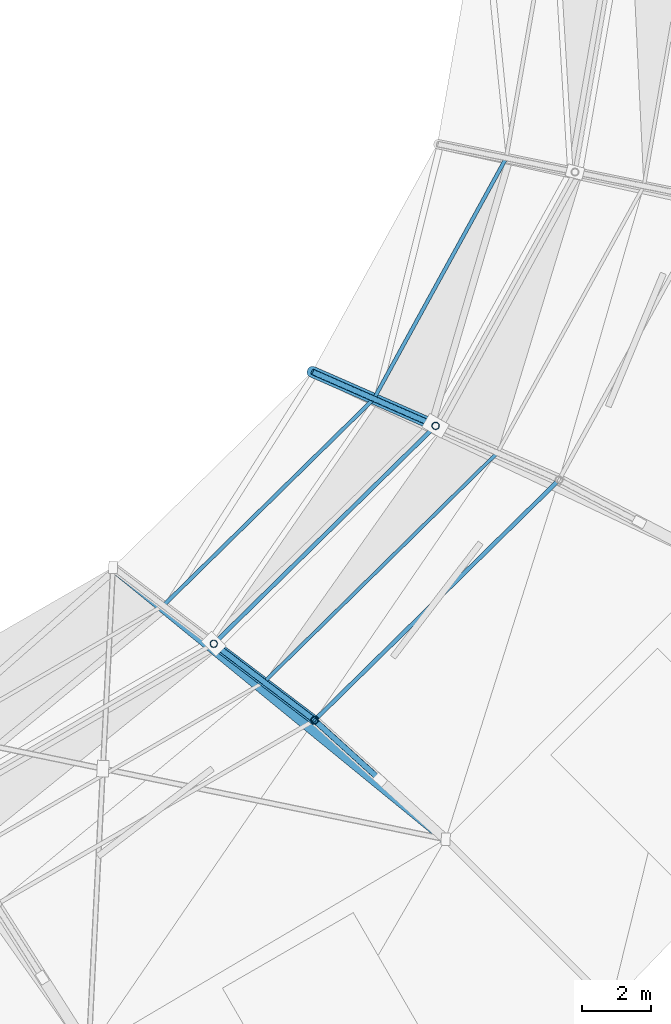
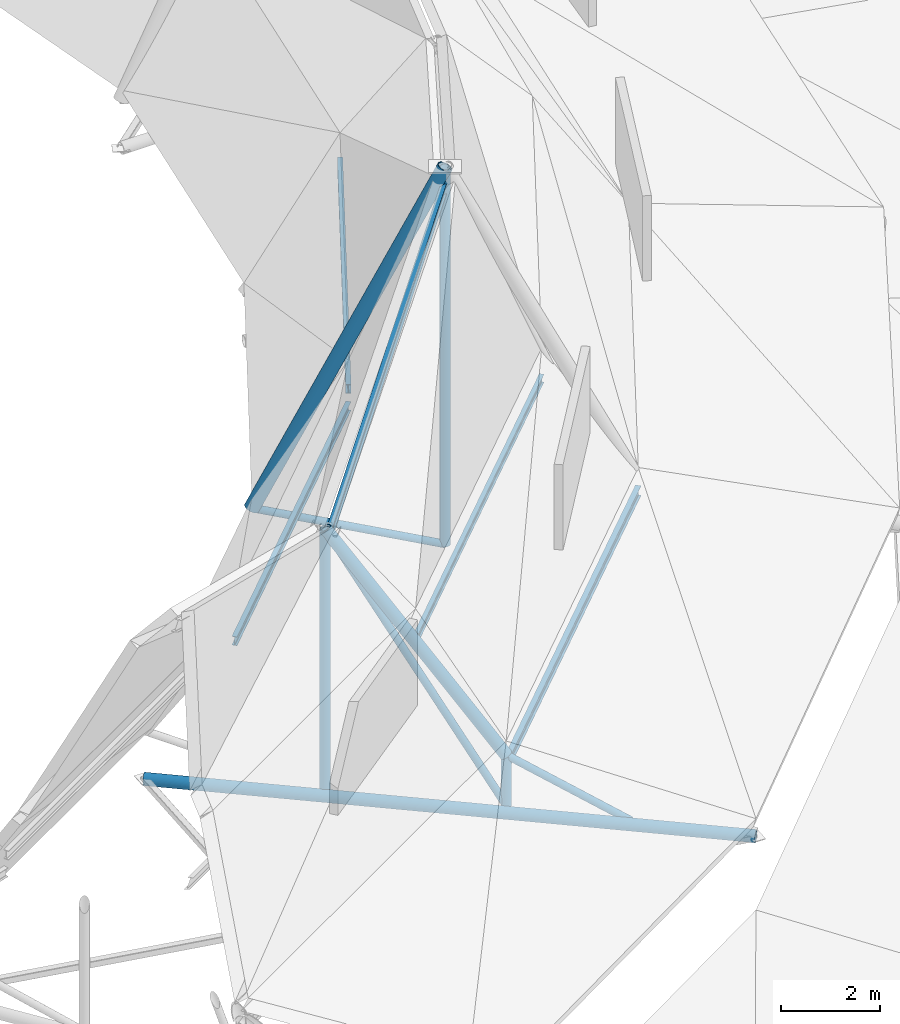
# One storey, part 11 of 36: 13 members, 1 beam.
"""IFC4 building model written with IfcOpenShell, lengths in metres."""

from ifc_helpers import new_model, si_unit, direction, frame, origin, origin_2d, place, context, subcontext, project, spatial, hollow_circle, i_section, extrude, material, material_profile, profile_set, type_object, element, save


model = new_model("IFC4")

# Units and contexts
model_context = context("Model", 3, precision=1e-05, world=origin(), true_north=direction((0.0, 1.0)))
body_context = subcontext(model_context, "Body", "Model", "MODEL_VIEW")
ifc_project = project(units=[si_unit("LENGTHUNIT", "METRE"), si_unit("AREAUNIT", "SQUARE_METRE"), si_unit("VOLUMEUNIT", "CUBIC_METRE"), si_unit("PLANEANGLEUNIT", "RADIAN"), si_unit("MASSUNIT", "GRAM", prefix="KILO")], contexts=[model_context])

# Site, building, storey
site_placement = place(None, origin())
site = spatial("IfcSite", under=ifc_project, at=site_placement, CompositionType="ELEMENT")
building_placement = place(site_placement, origin())
building = spatial("IfcBuilding", under=site, at=building_placement, Name="Kildeholm Park Wholesale Market", CompositionType="ELEMENT")
storey_placement = place(building_placement, frame((0.0, 0.0, 17.39990234375)))
storey = spatial("IfcBuildingStorey", under=building, at=storey_placement, Name="Roof", CompositionType="ELEMENT", Elevation=17.39990234375)

# Beam
ifc_material = material(Name="Steel S355", Category="steel")
ifc_material_profile_1 = material_profile(ifc_material, hollow_circle(Radius=0.136474609375, WallThickness=0.01611328125, at=origin_2d()), Name="CHS 273x16")
ifc_profile_set_1 = profile_set([ifc_material_profile_1], Name="Steel S355")
beam_type = type_object("IfcBeamType", Name="Beam B-T01 CHS 273x16", PredefinedType="BEAM", material=ifc_profile_set_1)
beam_placement = place(storey_placement, frame((134.4970703125, 62.135009765625, -4.6298828125), z_axis=(-0.774216280002, 0.632921126034, 0.0), x_axis=(-0.632921126034, -0.774216280002, 0.0)))
element("IfcBeam", 1, at=beam_placement, inside=storey, type_object=beam_type, Name="Beam BM-V1-TIE-21 BM-0350", PredefinedType="BEAM", context=body_context, shape_type="SweptSolid", body=[
    extrude(hollow_circle(Radius=0.136474609375, WallThickness=0.01611328125, at=origin_2d()), origin(), (0.0, 0.0, 1.0), 12.51318359375),
])

# Members
ifc_material_profile_2 = material_profile(ifc_material, i_section(OverallWidth=0.10009765625, OverallDepth=0.199951171875, WebThickness=0.005615234375, FlangeThickness=0.008544921875, FilletRadius=0.011962890625, at=origin_2d()), Name="IPE 200")
ifc_profile_set_2 = profile_set([ifc_material_profile_2], Name="Steel S355")
member_type_1 = type_object("IfcMemberType", Name="Member PR-01 IPE 200", PredefinedType="PURLIN", material=ifc_profile_set_2)
member_1_placement = place(storey_placement, frame((129.21044921875, 66.714111328125, -0.691650390625), z_axis=(0.713234317827, 0.70092567928, 0.0), x_axis=(-0.70092567928, 0.713234317827, 0.0)))
element("IfcMember", 2, at=member_1_placement, inside=storey, type_object=member_type_1, Name="Member PR-V1-MDO-21 MEM-0281", PredefinedType="PURLIN", context=body_context, shape_type="SweptSolid", body=[
    extrude(i_section(OverallWidth=0.10009765625, OverallDepth=0.199951171875, WebThickness=0.005615234375, FlangeThickness=0.008544921875, FilletRadius=0.011962890625, at=origin_2d()), origin(), (0.0, 0.0, 1.0), 9.520751953125),
])
ifc_material_profile_3 = material_profile(ifc_material, i_section(OverallWidth=0.1201171875, OverallDepth=0.239990234375, WebThickness=0.006103515625, FlangeThickness=0.009765625, FilletRadius=0.014892578125, at=origin_2d()), Name="IPE 240")
ifc_profile_set_3 = profile_set([ifc_material_profile_3], Name="Steel S355")
member_type_2 = type_object("IfcMemberType", Name="Member PR-02 IPE 240", PredefinedType="PURLIN", material=ifc_profile_set_3)
member_2_placement = place(storey_placement, frame((130.677978515625, 65.60009765625, -3.6083984375), z_axis=(0.713096204455, 0.701066190307, 0.0), x_axis=(-0.701066190307, 0.713096204455, 0.0)))
element("IfcMember", 3, at=member_2_placement, inside=storey, type_object=member_type_2, Name="Member PR-V1-STP2-21 MEM-0279", PredefinedType="PURLIN", context=body_context, shape_type="SweptSolid", body=[
    extrude(i_section(OverallWidth=0.1201171875, OverallDepth=0.239990234375, WebThickness=0.006103515625, FlangeThickness=0.009765625, FilletRadius=0.014892578125, at=origin_2d()), origin(), (0.0, 0.0, 1.0), 9.98486328125),
])
member_3_placement = place(storey_placement, frame((127.742919921875, 67.827880859375, 1.418701171875), z_axis=(0.681551980746, 0.66952535029, 0.295334899497), x_axis=(-0.700784698556, 0.713372838191, 0.0)))
element("IfcMember", 4, at=member_3_placement, inside=storey, type_object=member_type_2, Name="Member PR-V1-CRWN-21 MEM-0280", PredefinedType="PURLIN", context=body_context, shape_type="SweptSolid", body=[
    extrude(i_section(OverallWidth=0.1201171875, OverallDepth=0.239990234375, WebThickness=0.006103515625, FlangeThickness=0.009765625, FilletRadius=0.014892578125, at=origin_2d()), origin(), (0.0, 0.0, 1.0), 9.47998046875),
])
ifc_material_profile_4 = material_profile(ifc_material, i_section(OverallWidth=0.110107421875, OverallDepth=0.219970703125, WebThickness=0.005859375, FlangeThickness=0.00927734375, FilletRadius=0.011962890625, at=origin_2d()), Name="IPE 220")
ifc_profile_set_4 = profile_set([ifc_material_profile_4], Name="Steel S355")
member_type_3 = type_object("IfcMemberType", Name="Member PR-03 IPE 220", PredefinedType="PURLIN", material=ifc_profile_set_4)
member_4_placement = place(storey_placement, frame((126.27587890625, 68.94140625, -1.072998046875), z_axis=(0.713484428473, 0.700671085693, 0.0), x_axis=(-0.700671085693, 0.713484428473, 0.0)))
element("IfcMember", 5, at=member_4_placement, inside=storey, type_object=member_type_3, Name="Member PR-V1-MDI-21 MEM-0282", PredefinedType="PURLIN", context=body_context, shape_type="SweptSolid", body=[
    extrude(i_section(OverallWidth=0.110107421875, OverallDepth=0.219970703125, WebThickness=0.005859375, FlangeThickness=0.00927734375, FilletRadius=0.011962890625, at=origin_2d()), origin(), (0.0, 0.0, 1.0), 8.59326171875),
])
member_5_placement = place(storey_placement, frame((132.406982421875, 74.96240234375, -0.662109375), z_axis=(0.481564964074, 0.876410397803, 0.0), x_axis=(-0.876410397803, 0.481564964074, 0.0)))
element("IfcMember", 6, at=member_5_placement, inside=storey, type_object=member_type_3, Name="Member PR-V1-MDI-22 MEM-0294", PredefinedType="PURLIN", context=body_context, shape_type="SweptSolid", body=[
    extrude(i_section(OverallWidth=0.110107421875, OverallDepth=0.219970703125, WebThickness=0.005859375, FlangeThickness=0.00927734375, FilletRadius=0.011962890625, at=origin_2d()), origin(), (0.0, 0.0, 1.0), 8.0009765625),
])
ifc_material_profile_5 = material_profile(ifc_material, hollow_circle(Radius=0.084228515625, WallThickness=0.010009765625, at=origin_2d()), Name="CHS 168.3x10")
ifc_profile_set_5 = profile_set([ifc_material_profile_5], Name="Steel S355")
member_type_4 = type_object("IfcMemberType", Name="Member TB-01 CHS 168.3x10", PredefinedType="BRACE", material=ifc_profile_set_5)
member_6_placement = place(storey_placement, frame((132.587890625, 63.866943359375, -4.6298828125), z_axis=(-0.66741137091, 0.605644039638, 0.43330977283), x_axis=(-0.672008172924, -0.74054372965, 0.0)))
element("IfcMember", 7, at=member_6_placement, inside=storey, type_object=member_type_4, Name="Member TR-V1-21-WB1 MEM-0276", PredefinedType="BRACE", context=body_context, shape_type="SweptSolid", body=[
    extrude(hollow_circle(Radius=0.084228515625, WallThickness=0.010009765625, at=origin_2d()), origin(), (0.0, 0.0, 1.0), 2.861572265625),
])
member_7_placement = place(storey_placement, frame((130.677978515625, 65.60009765625, -4.6298828125), z_axis=(-0.393277128214, 0.298507219677, 0.869612868019), x_axis=(-0.604590931653, -0.796536129352, 0.0)))
element("IfcMember", 8, at=member_7_placement, inside=storey, type_object=member_type_4, Name="Member TR-V1-21-WB2 MEM-0277", PredefinedType="BRACE", context=body_context, shape_type="SweptSolid", body=[
    extrude(hollow_circle(Radius=0.084228515625, WallThickness=0.010009765625, at=origin_2d()), origin(), (0.0, 0.0, 1.0), 7.463134765625),
])
member_8_placement = place(storey_placement, frame((134.2041015625, 74.175048828125, -4.6298828125), z_axis=(-0.87649984614, 0.384097582192, 0.290201769587), x_axis=(-0.401370362449, -0.915915843376, 0.0)))
element("IfcMember", 9, at=member_8_placement, inside=storey, type_object=member_type_4, Name="Member TR-V1-22-WB3 MEM-0290", PredefinedType="BRACE", context=body_context, shape_type="SweptSolid", body=[
    extrude(hollow_circle(Radius=0.084228515625, WallThickness=0.010009765625, at=origin_2d()), origin(), (0.0, 0.0, 1.0), 4.100341796875),
])
ifc_material_profile_6 = material_profile(ifc_material, hollow_circle(Radius=0.109619140625, WallThickness=0.012451171875, at=origin_2d()), Name="CHS 219.1x12.5")
ifc_profile_set_6 = profile_set([ifc_material_profile_6], Name="Steel S355")
member_type_5 = type_object("IfcMemberType", Name="Member TB-02 CHS 219.1x12.5", PredefinedType="BRACE", material=ifc_profile_set_6)
member_9_placement = place(storey_placement, frame((130.677978515625, 65.60009765625, -4.6298828125), z_axis=(0.0, 0.0, 1.0), x_axis=(1.0, 0.0, 0.0)))
element("IfcMember", 10, at=member_9_placement, inside=storey, type_object=member_type_5, Name="Member TR-V1-21-VT1 MEM-0274", PredefinedType="BRACE", context=body_context, shape_type="SweptSolid", body=[
    extrude(hollow_circle(Radius=0.109619140625, WallThickness=0.012451171875, at=origin_2d()), origin(), (0.0, 0.0, 1.0), 1.239990234375),
])
member_10_placement = place(storey_placement, frame((127.742919921875, 67.827880859375, -4.6298828125), z_axis=(0.0, 0.0, 1.0), x_axis=(1.0, 0.0, 0.0)))
element("IfcMember", 11, at=member_10_placement, inside=storey, type_object=member_type_5, Name="Member TR-V1-21-VT2 MEM-0275", PredefinedType="BRACE", context=body_context, shape_type="SweptSolid", body=[
    extrude(hollow_circle(Radius=0.109619140625, WallThickness=0.012451171875, at=origin_2d()), origin(), (0.0, 0.0, 1.0), 6.489990234375),
])
member_11_placement = place(storey_placement, frame((134.2041015625, 74.175048828125, -4.6298828125), z_axis=(0.0, 0.0, 1.0), x_axis=(1.0, 0.0, 0.0)))
element("IfcMember", 12, at=member_11_placement, inside=storey, type_object=member_type_5, Name="Member TR-V1-22-VT2 MEM-0287", PredefinedType="BRACE", context=body_context, shape_type="SweptSolid", body=[
    extrude(hollow_circle(Radius=0.109619140625, WallThickness=0.012451171875, at=origin_2d()), origin(), (0.0, 0.0, 1.0), 9.2900390625),
])
ifc_material_profile_7 = material_profile(ifc_material, hollow_circle(Radius=0.161865234375, WallThickness=0.01611328125, at=origin_2d()), Name="CHS 323.9x16")
ifc_profile_set_7 = profile_set([ifc_material_profile_7], Name="Steel S355")
member_type_6 = type_object("IfcMemberType", Name="Member TC-01 CHS 323.9x16", PredefinedType="CHORD", material=ifc_profile_set_7)
member_12_placement = place(storey_placement, frame((134.2041015625, 74.175048828125, 4.66015625), z_axis=(-0.399310875787, 0.174985018661, -0.899961703476), x_axis=(-0.401370362449, -0.915915843376, 0.0)))
element("IfcMember", 13, at=member_12_placement, inside=storey, type_object=member_type_6, Name="Member TR-V1-22-TC3 MEM-0285", PredefinedType="CHORD", context=body_context, shape_type="SweptSolid", body=[
    extrude(hollow_circle(Radius=0.161865234375, WallThickness=0.01611328125, at=origin_2d()), origin(), (0.0, 0.0, 1.0), 9.00048828125),
])
ifc_material_profile_8 = material_profile(ifc_material, hollow_circle(Radius=0.136474609375, WallThickness=0.01611328125, at=origin_2d()), Name="CHS 273x16")
ifc_profile_set_8 = profile_set([ifc_material_profile_8], Name="Steel S355")
member_type_7 = type_object("IfcMemberType", Name="Member TC-02 CHS 273x16", PredefinedType="CHORD", material=ifc_profile_set_8)
member_13_placement = place(storey_placement, frame((130.677978515625, 65.60009765625, -3.389892578125), z_axis=(-0.45759805838, 0.347328421454, 0.818515109584), x_axis=(-0.604590931653, -0.796536129352, 0.0)))
element("IfcMember", 14, at=member_13_placement, inside=storey, type_object=member_type_7, Name="Member TR-V1-21-TC2 MEM-0272", PredefinedType="CHORD", context=body_context, shape_type="SweptSolid", body=[
    extrude(hollow_circle(Radius=0.136474609375, WallThickness=0.01611328125, at=origin_2d()), origin(), (0.0, 0.0, 1.0), 6.4140625),
])

save(model, "model.ifc")
